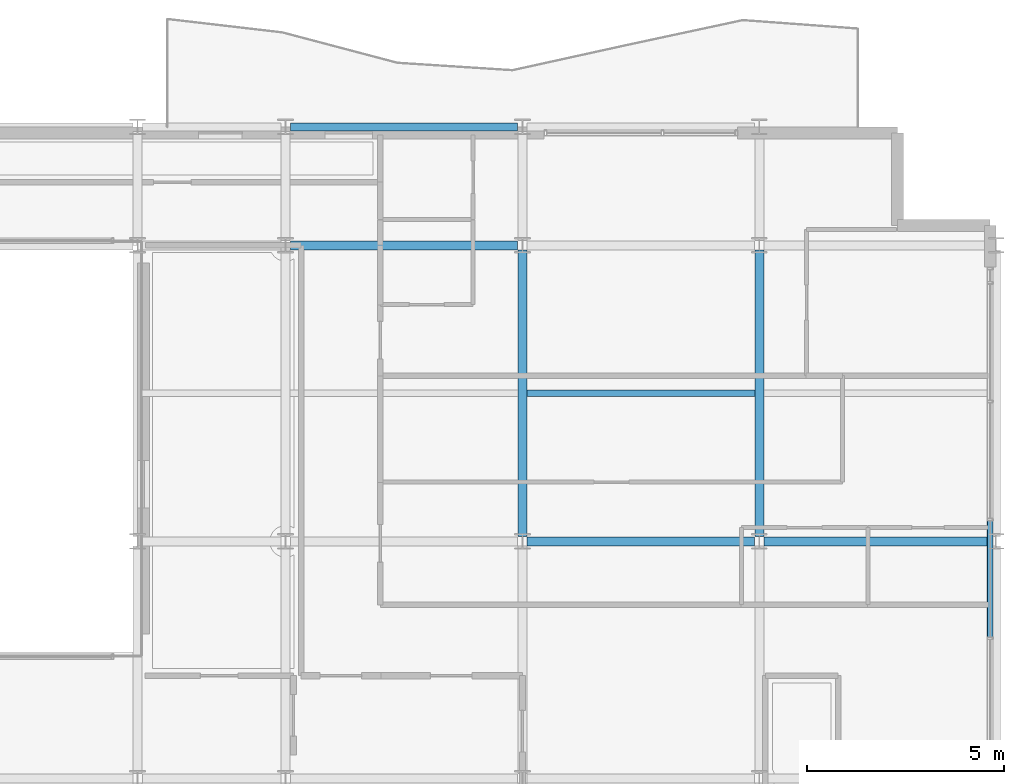
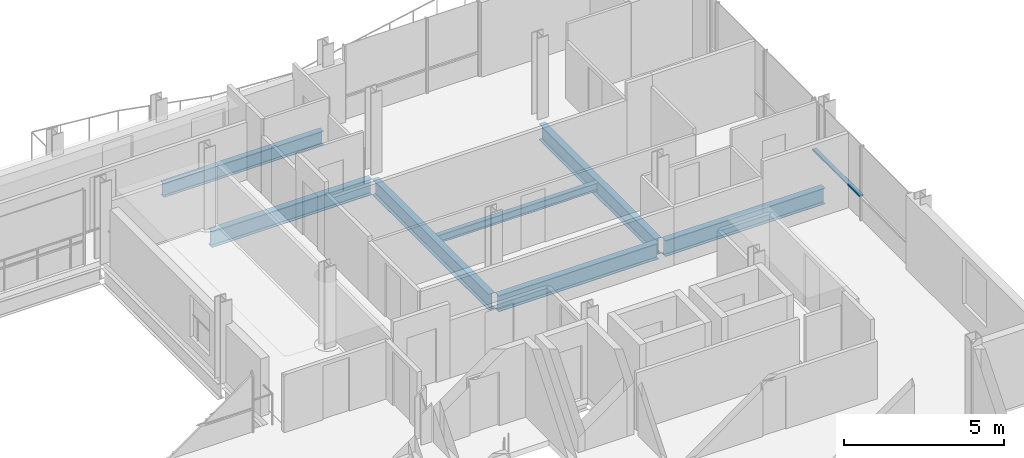
# One storey, part 21 of 36: 7 beams, 1 member, 1 element without a shape of its own.
"""IFC4 building model written with IfcOpenShell, lengths in metres."""

from ifc_helpers import new_model, si_unit, direction, frame, origin, origin_2d, place, context, subcontext, project, spatial, hollow_rectangle, i_section, extrude, material, layer, layer_set, material_profile, profile_set, type_object, element, aggregate, save


model = new_model("IFC4")

# Units and contexts
model_context = context("Model", 3, precision=1e-05, world=origin(), true_north=direction((0.0, 1.0)))
body_context = subcontext(model_context, "Body", "Model", "MODEL_VIEW")
ifc_project = project(units=[si_unit("LENGTHUNIT", "METRE"), si_unit("AREAUNIT", "SQUARE_METRE"), si_unit("VOLUMEUNIT", "CUBIC_METRE"), si_unit("PLANEANGLEUNIT", "RADIAN"), si_unit("MASSUNIT", "GRAM", prefix="KILO")], contexts=[model_context])

# Site, building, storey
site_placement = place(None, origin())
site = spatial("IfcSite", under=ifc_project, at=site_placement, CompositionType="ELEMENT")
building_placement = place(site_placement, origin())
building = spatial("IfcBuilding", under=site, at=building_placement, Name="Brevholm Reach", CompositionType="ELEMENT")
storey_placement = place(building_placement, frame((0.0, 0.0, 175.89990234375)))
storey = spatial("IfcBuildingStorey", under=building, at=storey_placement, Name="L53", CompositionType="ELEMENT", Elevation=175.89990234375)

# Beams
ifc_material_1 = material(Name="Structural Steel S355J2", Category="steel")
ifc_material_profile_1 = material_profile(ifc_material_1, i_section(OverallWidth=0.1650390625, OverallDepth=0.303466796875, WebThickness=0.006103515625, FlangeThickness=0.01025390625, FilletRadius=0.0087890625, at=origin_2d()), Name="UKB 305x165x40")
ifc_profile_set_1 = profile_set([ifc_material_profile_1], Name="Structural Steel S355J2")
beam_type_1 = type_object("IfcBeamType", Name="BM-B305", PredefinedType="BEAM", material=ifc_profile_set_1)
beam_1_placement = place(storey_placement, frame((48.114501953125, 19.75, -0.361572265625), z_axis=(1.0, 0.0, 0.0), x_axis=(0.0, 1.0, 0.0)))
element("IfcBeam", 1, at=beam_1_placement, inside=storey, type_object=beam_type_1, Name="L53 Composite Secondary Floor Beam", PredefinedType="BEAM", context=body_context, shape_type="SweptSolid", body=[
    extrude(i_section(OverallWidth=0.1650390625, OverallDepth=0.303466796875, WebThickness=0.006103515625, FlangeThickness=0.01025390625, FilletRadius=0.0087890625, at=origin_2d()), origin(), (0.0, 0.0, 1.0), 5.77099609375),
])
ifc_material_2 = material(Name="Structural Steel S355J2", Category="steel")
ifc_material_profile_2 = material_profile(ifc_material_2, i_section(OverallWidth=0.209228515625, OverallDepth=0.533203125, WebThickness=0.010009765625, FlangeThickness=0.015625, FilletRadius=0.0126953125, at=origin_2d()), Name="UKB 533x210x92")
ifc_profile_set_2 = profile_set([ifc_material_profile_2], Name="Structural Steel S355J2")
beam_type_2 = type_object("IfcBeamType", Name="BM-SP533", PredefinedType="SPANDREL", material=ifc_profile_set_2)
beam_2_placement = place(storey_placement, frame((42.1201171875, 26.5, -0.4765625), z_axis=(1.0, 0.0, 0.0), x_axis=(0.0, 1.0, 0.0)))
element("IfcBeam", 2, at=beam_2_placement, inside=storey, type_object=beam_type_2, Name="L53 SP-02 Framing Beam", PredefinedType="SPANDREL", context=body_context, shape_type="SweptSolid", body=[
    extrude(i_section(OverallWidth=0.209228515625, OverallDepth=0.533203125, WebThickness=0.010009765625, FlangeThickness=0.015625, FilletRadius=0.0126953125, at=origin_2d()), origin(), (0.0, 0.0, 1.0), 5.759765625),
])
ifc_material_3 = material(Name="Structural Steel S355J2", Category="steel")
ifc_material_profile_3 = material_profile(ifc_material_3, i_section(OverallWidth=0.22900390625, OverallDepth=0.6123046875, WebThickness=0.011962890625, FlangeThickness=0.01953125, FilletRadius=0.0126953125, at=origin_2d()), Name="UKB 610x229x125")
ifc_profile_set_3 = profile_set([ifc_material_profile_3], Name="Structural Steel S355J2")
beam_type_3 = type_object("IfcBeamType", Name="BM-SP610", PredefinedType="SPANDREL", material=ifc_profile_set_3)
for number, where, z_axis, x_axis, name in (
    (3, (48.1201171875, 16.0, -0.51611328125), (1.0, 0.0, 0.0), (0.0, 1.0, 0.0), "L53 SP-01 Framing Beam"),
    (4, (54.1201171875, 16.0, -0.51611328125), (1.0, 0.0, 0.0), (0.0, 1.0, 0.0), "L53 SP-01 Framing Beam"),
    (5, (42.1201171875, 23.5, -0.51611328125), (1.0, 0.0, 0.0), (0.0, 1.0, 0.0), "L53 SP-01 Framing Beam"),
):
    element("IfcBeam", number, at=place(storey_placement, frame(where, z_axis=z_axis, x_axis=x_axis)), inside=storey, type_object=beam_type_3, Name=name, PredefinedType="SPANDREL", context=body_context, shape_type="SweptSolid", body=[
        extrude(i_section(OverallWidth=0.22900390625, OverallDepth=0.6123046875, WebThickness=0.011962890625, FlangeThickness=0.01953125, FilletRadius=0.0126953125, at=origin_2d()), origin(), (0.0, 0.0, 1.0), 5.759765625),
    ])
for number, where, z_axis, x_axis, name in (
    (6, (48.0, 16.1201171875, -0.51611328125), (0.0, 1.0, 0.0), (-1.0, 0.0, 0.0), "L53 SP-01 Framing Beam"),
    (7, (54.0, 16.1201171875, -0.51611328125), (0.0, 1.0, 0.0), (-1.0, 0.0, 0.0), "L53 SP-01 Framing Beam"),
):
    element("IfcBeam", number, at=place(storey_placement, frame(where, z_axis=z_axis, x_axis=x_axis)), inside=storey, type_object=beam_type_3, Name=name, PredefinedType="SPANDREL", context=body_context, shape_type="SweptSolid", body=[
        extrude(i_section(OverallWidth=0.22900390625, OverallDepth=0.6123046875, WebThickness=0.011962890625, FlangeThickness=0.01953125, FilletRadius=0.0126953125, at=origin_2d()), origin(), (0.0, 0.0, 1.0), 7.259765625),
    ])

# Curtain wall, member
ifc_material_4 = material(Name="Dark Anodised Aluminium 6063-T6 and Solar-Control Glass", Category="aluminium")
ifc_layer = layer(ifc_material_4, 0.14990234375)
ifc_layer_set = layer_set([ifc_layer], Name="Dark Anodised Aluminium 6063-T6 and Solar-Control Glass")
curtain_wall_type = type_object("IfcCurtainWallType", Name="CW-01", PredefinedType="NOTDEFINED", material=ifc_layer_set)
curtain_wall_placement = place(storey_placement, origin())
curtain_wall = element("IfcCurtainWall", 8, at=curtain_wall_placement, inside=storey, type_object=curtain_wall_type, Name="L53 Curtain Wall CW-01", PredefinedType="NOTDEFINED")
ifc_material_5 = material(Name="Dark Anodised Aluminium 6063-T6", Category="aluminium")
ifc_material_profile_4 = material_profile(ifc_material_5, hollow_rectangle(XDim=0.06494140625, YDim=0.14990234375, WallThickness=0.0048828125, InnerFilletRadius=0.0048828125, OuterFilletRadius=0.010009765625, at=origin_2d()), Name="RHS 150x65x5")
ifc_profile_set_4 = profile_set([ifc_material_profile_4], Name="Dark Anodised Aluminium 6063-T6")
member_type = type_object("IfcMemberType", Name="CWT-150", PredefinedType="NOTDEFINED", material=ifc_profile_set_4)
member_placement = place(storey_placement, frame((59.85009765625, 13.58251953125, 0.900146484375), z_axis=(0.0, 1.0, 0.0), x_axis=(0.0, 0.0, 1.0)))
member = element("IfcMember", 9, at=member_placement, type_object=member_type, Name="CT-150 Transom 2.1", ObjectType="TRANSOM", PredefinedType="USERDEFINED", context=body_context, shape_type="SweptSolid", body=[
    extrude(hollow_rectangle(XDim=0.06494140625, YDim=0.14990234375, WallThickness=0.0048828125, InnerFilletRadius=0.0048828125, OuterFilletRadius=0.010009765625, at=origin_2d()), origin(), (0.0, 0.0, 1.0), 2.93505859375),
])
aggregate(curtain_wall, [member])

save(model, "model.ifc")
